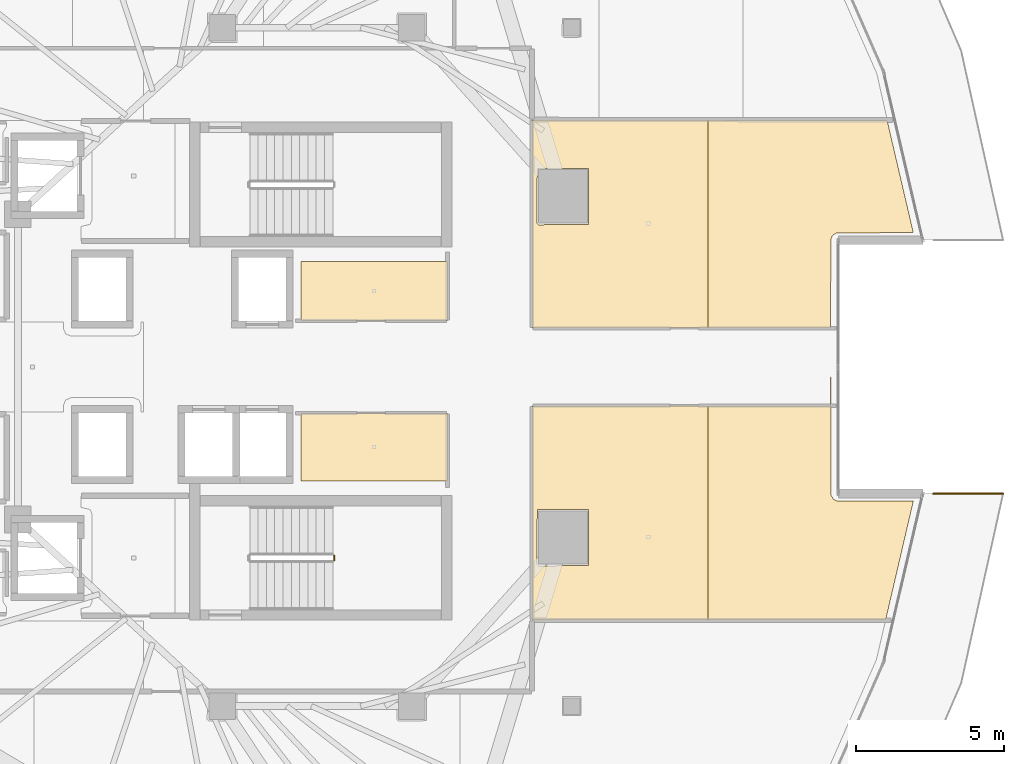
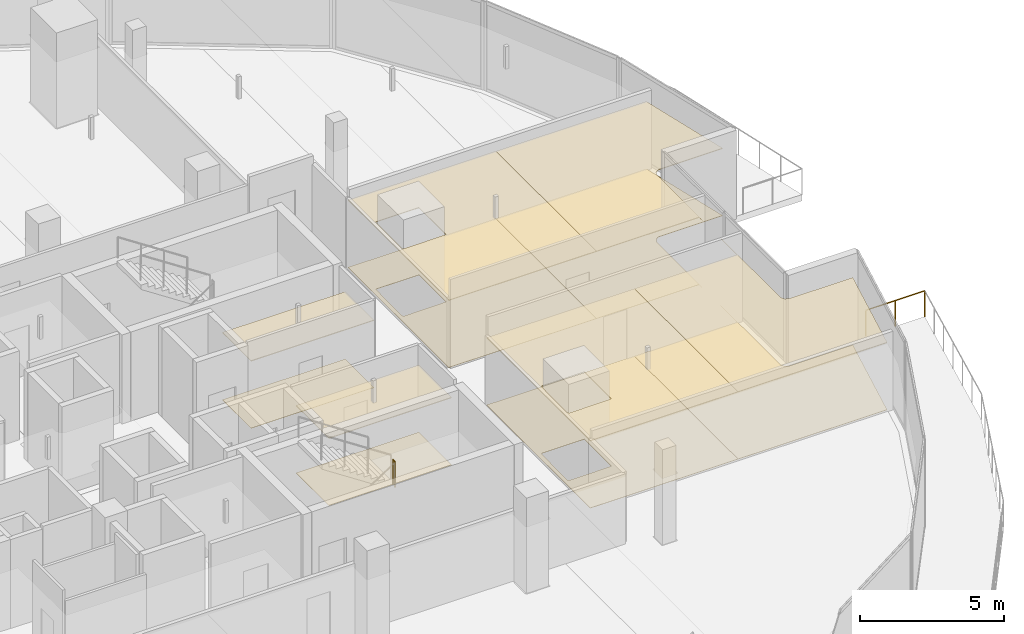
# One storey, part 31 of 33: 12 coverings, 2 railings.
"""IFC4 building model written with IfcOpenShell, lengths in metres."""

from ifc_helpers import new_model, si_unit, direction, frame, origin, origin_2d, place, context, subcontext, project, spatial, polyline, circle, outline, extrude, material, layer, layer_set, type_object, element, save


model = new_model("IFC4")

# Units and contexts
model_context = context("Model", 3, precision=1e-05, world=origin(), true_north=direction((0.0, 1.0)))
body_context = subcontext(model_context, "Body", "Model", "MODEL_VIEW")
ifc_project = project(units=[si_unit("LENGTHUNIT", "METRE"), si_unit("AREAUNIT", "SQUARE_METRE"), si_unit("VOLUMEUNIT", "CUBIC_METRE"), si_unit("PLANEANGLEUNIT", "RADIAN"), si_unit("MASSUNIT", "GRAM", prefix="KILO")], contexts=[model_context])

# Site, building, storey
site_placement = place(None, origin())
site = spatial("IfcSite", under=ifc_project, at=site_placement, CompositionType="ELEMENT")
building_placement = place(site_placement, origin())
building = spatial("IfcBuilding", under=site, at=building_placement, Name="Qorvath Tower", CompositionType="ELEMENT")
storey_placement = place(building_placement, frame((0.0, 0.0, 221.25)))
storey = spatial("IfcBuildingStorey", under=building, at=storey_placement, Name="L51", CompositionType="ELEMENT", Elevation=221.25)

# Coverings
ifc_material_1 = material(Name="Acoustic mineral fibre ceiling tile", Category="gypsum")
ifc_layer_1 = layer(ifc_material_1, 0.030029296875)
ifc_layer_set_1 = layer_set([ifc_layer_1], Name="COV-CEIL")
covering_type_1 = type_object("IfcCoveringType", Name="COV-CEIL", PredefinedType="CEILING", material=ifc_layer_set_1)
covering_1_placement = place(storey_placement, frame((0.0, 0.0, 2.85009765625)))
element("IfcCovering", 1, at=covering_1_placement, inside=storey, type_object=covering_type_1, Name="L51 Suspended Acoustic Ceiling 003", PredefinedType="CEILING", context=body_context, shape_type="SweptSolid", body=[
    extrude(outline(polyline([(-16.0048828125, 3.56005859375), (-20.93994140625, 3.56005859375), (-20.93994140625, 1.56494140625), (-16.0048828125, 1.56494140625), (-16.0048828125, 3.56005859375)])), origin(), (0.0, 0.0, 1.0), 0.030029296875),
])
covering_2_placement = place(storey_placement, frame((0.0, 0.0, 2.85009765625)))
element("IfcCovering", 2, at=covering_2_placement, inside=storey, type_object=covering_type_1, Name="L51 Suspended Acoustic Ceiling 004", PredefinedType="CEILING", context=body_context, shape_type="SweptSolid", body=[
    extrude(outline(polyline([(-20.93994140625, -1.56494140625), (-20.93994140625, -3.85009765625), (-16.0048828125, -3.85009765625), (-16.0048828125, -1.56494140625), (-20.93994140625, -1.56494140625)])), origin(), (0.0, 0.0, 1.0), 0.030029296875),
])
covering_3_placement = place(storey_placement, frame((0.0, 0.0, 2.85009765625)))
element("IfcCovering", 3, at=covering_3_placement, inside=storey, type_object=covering_type_1, Name="L51 Suspended Acoustic Ceiling 022", PredefinedType="CEILING", context=body_context, shape_type="SweptSolid", body=[
    extrude(outline(polyline([(-7.194580078125, -8.537109375), (-7.194580078125, -1.31298828125), (-13.136962890625, -1.31298828125), (-13.136962890625, -8.537109375), (-7.194580078125, -8.537109375)]), holes=[polyline([(-12.981689453125, -6.657958984375), (-12.964111328125, -4.8154296875), (-11.2294921875, -4.8154296875), (-11.2294921875, -6.700439453125), (-12.921875, -6.718017578125), (-12.981689453125, -6.657958984375)])]), origin(), (0.0, 0.0, 1.0), 0.030029296875),
])
covering_4_placement = place(storey_placement, frame((0.0, 0.0, 2.85009765625)))
element("IfcCovering", 4, at=covering_4_placement, inside=storey, type_object=covering_type_1, Name="L51 Suspended Acoustic Ceiling 023", PredefinedType="CEILING", context=body_context, shape_type="SweptSolid", body=[
    extrude(outline(polyline([(-2.964599609375, -4.47265625), (-3.052001953125, -4.32568359375), (-3.055908203125, -0.13330078125), (-3.07373046875, -1.31298828125), (-7.194580078125, -1.31298828125), (-7.194580078125, -8.537109375), (-1.204833984375, -8.537109375), (-0.271728515625, -4.53173828125), (-2.826171875, -4.530517578125), (-2.964599609375, -4.47265625)])), origin(), (0.0, 0.0, 1.0), 0.030029296875),
])
covering_5_placement = place(storey_placement, frame((0.0, 0.0, 2.85009765625)))
element("IfcCovering", 5, at=covering_5_placement, inside=storey, type_object=covering_type_1, Name="L51 Suspended Acoustic Ceiling 024", PredefinedType="CEILING", context=body_context, shape_type="SweptSolid", body=[
    extrude(outline(polyline([(-7.19970703125, 1.31298828125), (-7.19970703125, 8.328369140625), (-13.136962890625, 8.3369140625), (-13.136962890625, 1.31298828125), (-7.19970703125, 1.31298828125)]), holes=[polyline([(-12.981689453125, 4.85791015625), (-12.964111328125, 6.700439453125), (-11.2294921875, 6.700439453125), (-11.2294921875, 4.8154296875), (-12.921875, 4.7978515625), (-12.981689453125, 4.85791015625)])]), origin(), (0.0, 0.0, 1.0), 0.030029296875),
])
covering_6_placement = place(storey_placement, frame((0.0, 0.0, 2.85009765625)))
element("IfcCovering", 6, at=covering_6_placement, inside=storey, type_object=covering_type_1, Name="L51 Suspended Acoustic Ceiling 025", PredefinedType="CEILING", context=body_context, shape_type="SweptSolid", body=[
    extrude(outline(polyline([(-2.99755859375, 4.439697265625), (-2.8505859375, 4.527099609375), (-0.271728515625, 4.53173828125), (-1.154296875, 8.319580078125), (-7.19970703125, 8.328369140625), (-7.19970703125, 1.31298828125), (-3.07373046875, 1.31298828125), (-3.063720703125, 1.09521484375), (-3.055419921875, 4.30126953125), (-2.99755859375, 4.439697265625)])), origin(), (0.0, 0.0, 1.0), 0.030029296875),
])
ifc_material_2 = material(Name="Low-VOC modular carpet tile", Category="textile")
ifc_layer_2 = layer(ifc_material_2, 0.014892578125)
ifc_layer_set_2 = layer_set([ifc_layer_2], Name="COV-FLOOR-CPT")
covering_type_2 = type_object("IfcCoveringType", Name="COV-FLOOR-CPT", PredefinedType="FLOORING", material=ifc_layer_set_2)
covering_7_placement = place(storey_placement, origin())
element("IfcCovering", 7, at=covering_7_placement, inside=storey, type_object=covering_type_2, Name="L51 Floor Finish 003", PredefinedType="FLOORING", context=body_context, shape_type="SweptSolid", body=[
    extrude(outline(polyline([(-16.0048828125, 3.56005859375), (-20.93994140625, 3.56005859375), (-20.93994140625, 1.56494140625), (-16.0048828125, 1.56494140625), (-16.0048828125, 3.56005859375)])), origin(), (0.0, 0.0, 1.0), 0.014892578125),
])
covering_8_placement = place(storey_placement, origin())
element("IfcCovering", 8, at=covering_8_placement, inside=storey, type_object=covering_type_2, Name="L51 Floor Finish 004", PredefinedType="FLOORING", context=body_context, shape_type="SweptSolid", body=[
    extrude(outline(polyline([(-20.93994140625, -1.56494140625), (-20.93994140625, -3.85009765625), (-16.0048828125, -3.85009765625), (-16.0048828125, -1.56494140625), (-20.93994140625, -1.56494140625)])), origin(), (0.0, 0.0, 1.0), 0.014892578125),
])
covering_9_placement = place(storey_placement, origin())
element("IfcCovering", 9, at=covering_9_placement, inside=storey, type_object=covering_type_2, Name="L51 Floor Finish 022", PredefinedType="FLOORING", context=body_context, shape_type="SweptSolid", body=[
    extrude(outline(polyline([(-7.194580078125, -8.537109375), (-7.194580078125, -1.31298828125), (-13.136962890625, -1.31298828125), (-13.136962890625, -8.537109375), (-7.194580078125, -8.537109375)]), holes=[polyline([(-12.981689453125, -6.657958984375), (-12.964111328125, -4.8154296875), (-11.2294921875, -4.8154296875), (-11.2294921875, -6.700439453125), (-12.921875, -6.718017578125), (-12.981689453125, -6.657958984375)])]), origin(), (0.0, 0.0, 1.0), 0.014892578125),
])
covering_10_placement = place(storey_placement, origin())
element("IfcCovering", 10, at=covering_10_placement, inside=storey, type_object=covering_type_2, Name="L51 Floor Finish 023", PredefinedType="FLOORING", context=body_context, shape_type="SweptSolid", body=[
    extrude(outline(polyline([(-2.964599609375, -4.47265625), (-3.052001953125, -4.32568359375), (-3.055908203125, -0.13330078125), (-3.07373046875, -1.31298828125), (-7.194580078125, -1.31298828125), (-7.194580078125, -8.537109375), (-1.204833984375, -8.537109375), (-0.271728515625, -4.53173828125), (-2.826171875, -4.530517578125), (-2.964599609375, -4.47265625)])), origin(), (0.0, 0.0, 1.0), 0.014892578125),
])
covering_11_placement = place(storey_placement, origin())
element("IfcCovering", 11, at=covering_11_placement, inside=storey, type_object=covering_type_2, Name="L51 Floor Finish 024", PredefinedType="FLOORING", context=body_context, shape_type="SweptSolid", body=[
    extrude(outline(polyline([(-7.19970703125, 1.31298828125), (-7.19970703125, 8.328369140625), (-13.136962890625, 8.3369140625), (-13.136962890625, 1.31298828125), (-7.19970703125, 1.31298828125)]), holes=[polyline([(-12.981689453125, 4.85791015625), (-12.964111328125, 6.700439453125), (-11.2294921875, 6.700439453125), (-11.2294921875, 4.8154296875), (-12.921875, 4.7978515625), (-12.981689453125, 4.85791015625)])]), origin(), (0.0, 0.0, 1.0), 0.014892578125),
])
covering_12_placement = place(storey_placement, origin())
element("IfcCovering", 12, at=covering_12_placement, inside=storey, type_object=covering_type_2, Name="L51 Floor Finish 025", PredefinedType="FLOORING", context=body_context, shape_type="SweptSolid", body=[
    extrude(outline(polyline([(-2.99755859375, 4.439697265625), (-2.8505859375, 4.527099609375), (-0.271728515625, 4.53173828125), (-1.154296875, 8.319580078125), (-7.19970703125, 8.328369140625), (-7.19970703125, 1.31298828125), (-3.07373046875, 1.31298828125), (-3.063720703125, 1.09521484375), (-3.055419921875, 4.30126953125), (-2.99755859375, 4.439697265625)])), origin(), (0.0, 0.0, 1.0), 0.014892578125),
])

# Railings
ifc_material_3 = material(Name="Laminated safety glass and stainless steel AISI 316", Category="steel")
railing_type_1 = type_object("IfcRailingType", Name="RL-EXT-GRD", PredefinedType="GUARDRAIL", material=ifc_material_3)
railing_1_placement = place(storey_placement, frame((0.399169921875, -4.27685546875, 0.0)))
element("IfcRailing", 13, at=railing_1_placement, inside=storey, type_object=railing_type_1, Name="Loggia Perimeter Guardrail L51-1.2", PredefinedType="GUARDRAIL", context=body_context, shape_type="SweptSolid", body=[
    extrude(circle(Radius=0.02392578125, at=origin_2d()), frame((0.0, 0.0, 1.09619140625), z_axis=(1.0, 0.0, 0.0), x_axis=(0.0, 1.0, 0.0)), (0.0, 0.0, 1.0), 2.366943359375),
    extrude(circle(Radius=0.02099609375, at=origin_2d()), origin(), (0.0, 0.0, 1.0), 1.072021484375),
    extrude(circle(Radius=0.02099609375, at=origin_2d()), frame((1.18359375, 0.0, 0.0)), (0.0, 0.0, 1.0), 1.072021484375),
    extrude(circle(Radius=0.02099609375, at=origin_2d()), frame((2.366943359375, 0.0, 0.0)), (0.0, 0.0, 1.0), 1.072021484375),
])
ifc_material_4 = material(Name="Painted galvanised steel", Category="steel")
railing_type_2 = type_object("IfcRailingType", Name="RL-STR-GRD", PredefinedType="GUARDRAIL", material=ifc_material_4)
railing_2_placement = place(storey_placement, frame((-19.820068359375, -6.52001953125, 2.02490234375)))
element("IfcRailing", 14, at=railing_2_placement, inside=storey, type_object=railing_type_2, Name="L51 TS2 stair guard 2", PredefinedType="GUARDRAIL", context=body_context, shape_type="SweptSolid", body=[
    extrude(circle(Radius=0.02392578125, at=origin_2d()), frame((0.0, 0.0, 1.076171875), z_axis=(0.0, 1.0, 0.0), x_axis=(-1.0, 0.0, 0.0)), (0.0, 0.0, 1.0), 0.14990234375),
    extrude(circle(Radius=0.02099609375, at=origin_2d()), origin(), (0.0, 0.0, 1.0), 1.052001953125),
    extrude(circle(Radius=0.02099609375, at=origin_2d()), frame((0.0, 0.14990234375, 0.0)), (0.0, 0.0, 1.0), 1.052001953125),
])

save(model, "model.ifc")
